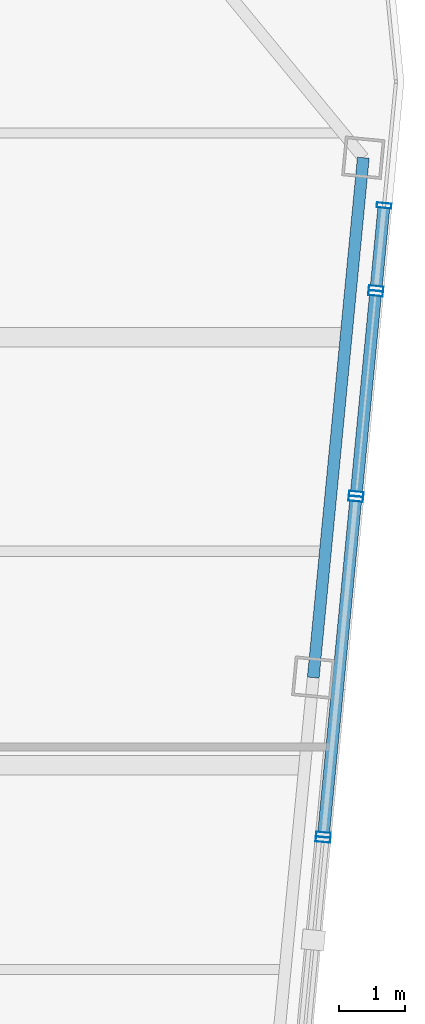
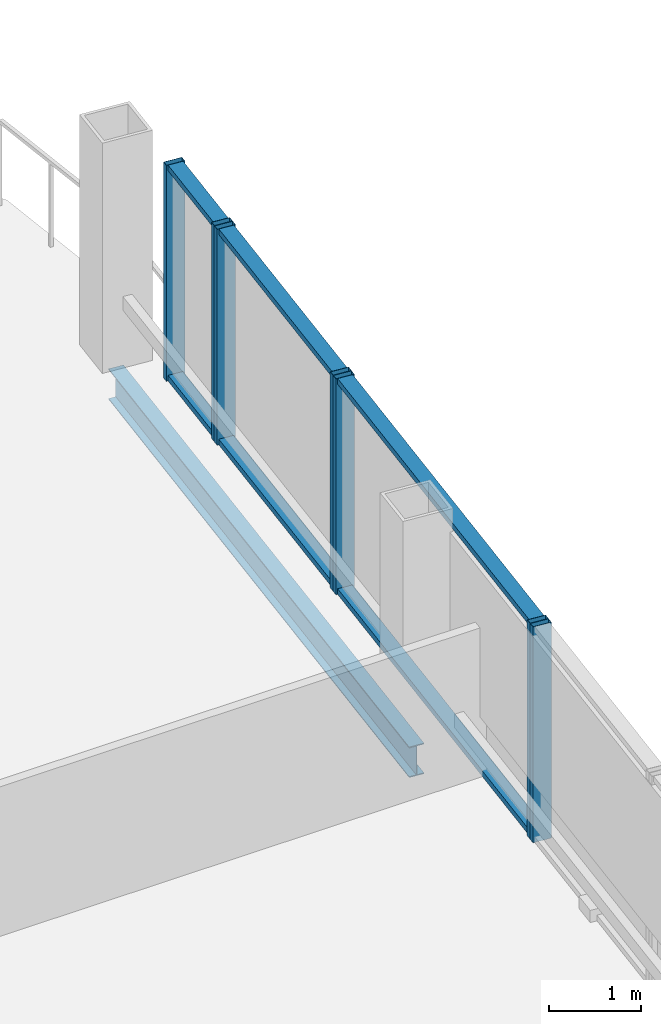
# One storey, part 15 of 26: 13 members, 1 beam, 4 elements without a shape of their own.
"""IFC4 building model written with IfcOpenShell, lengths in metres."""

from ifc_helpers import new_model, si_unit, direction, frame, origin, origin_2d, place, context, subcontext, project, spatial, hollow_rectangle, i_section, extrude, material, layer, layer_set, material_profile, profile_set, type_object, element, aggregate, save


model = new_model("IFC4")

# Units and contexts
model_context = context("Model", 3, precision=1e-05, world=origin(), true_north=direction((0.0, 1.0)))
body_context = subcontext(model_context, "Body", "Model", "MODEL_VIEW")
ifc_project = project(units=[si_unit("LENGTHUNIT", "METRE"), si_unit("AREAUNIT", "SQUARE_METRE"), si_unit("VOLUMEUNIT", "CUBIC_METRE"), si_unit("PLANEANGLEUNIT", "RADIAN"), si_unit("MASSUNIT", "GRAM", prefix="KILO")], contexts=[model_context])

# Site, building, storey
site_placement = place(None, origin())
site = spatial("IfcSite", under=ifc_project, at=site_placement, CompositionType="ELEMENT")
building_placement = place(site_placement, origin())
building = spatial("IfcBuilding", under=site, at=building_placement, Name="Qhalaya Broadcast Tower", CompositionType="ELEMENT")
storey_placement = place(building_placement, frame((0.0, 0.0, 248.949951171875)))
storey = spatial("IfcBuildingStorey", under=building, at=storey_placement, Name="L73", CompositionType="ELEMENT", Elevation=248.949951171875)

# Curtain wall, member
ifc_material_1 = material(Name="Solar-Control Low-E Triple Glazing", Category="glass")
ifc_layer_1 = layer(ifc_material_1, 0.219970703125, Name="Solar-Control Low-E Triple Glazing")
ifc_layer_set_1 = layer_set([ifc_layer_1], Name="Solar-Control Low-E Triple Glazing")
curtain_wall_type_1 = type_object("IfcCurtainWallType", Name="High-Altitude Upper-Shaft Triple Low-E Curtain Wall CW-04", PredefinedType="NOTDEFINED", material=ifc_layer_set_1)
curtain_wall_1_placement = place(storey_placement, origin())
curtain_wall_1 = element("IfcCurtainWall", 1, at=curtain_wall_1_placement, inside=storey, type_object=curtain_wall_type_1, Name="L73 Unitised Curtain Wall L73-CW-E4", PredefinedType="NOTDEFINED")
ifc_material_2 = material(Name="Anodised Aluminium 6063-T6", Category="aluminium")
ifc_material_profile_1 = material_profile(ifc_material_2, hollow_rectangle(XDim=0.074951171875, YDim=0.219970703125, WallThickness=0.00390625, at=origin_2d()), Name="ALU-MUL 75x220x4")
ifc_profile_set_1 = profile_set([ifc_material_profile_1], Name="Anodised Aluminium 6063-T6")
member_type_1 = type_object("IfcMemberType", Name="Unitised Curtain-Wall Mullion M01", PredefinedType="MULLION", material=ifc_profile_set_1)
member_1_placement = place(storey_placement, frame((21.483154296875, -3.7431640625, 0.0), z_axis=(0.0, 0.0, 1.0), x_axis=(0.095819626155, 0.995398713704, 0.0)))
member_1 = element("IfcMember", 2, at=member_1_placement, type_object=member_type_1, Name="CW-04 mullion 2", PredefinedType="MULLION", context=body_context, shape_type="SweptSolid", body=[
    extrude(hollow_rectangle(XDim=0.074951171875, YDim=0.219970703125, WallThickness=0.00390625, at=origin_2d()), origin(), (0.0, 0.0, 1.0), 2.860107421875),
])
aggregate(curtain_wall_1, [member_1])

# Curtain wall, members
ifc_material_3 = material(Name="Fired Architectural Terracotta", Category="masonry")
ifc_layer_2 = layer(ifc_material_3, 0.219970703125, Name="Fired Architectural Terracotta")
ifc_layer_set_2 = layer_set([ifc_layer_2], Name="Fired Architectural Terracotta")
curtain_wall_type_2 = type_object("IfcCurtainWallType", Name="Block-Cap Unitised Terracotta Spandrel Wall CW-07", PredefinedType="NOTDEFINED", material=ifc_layer_set_2)
curtain_wall_2_placement = place(storey_placement, origin())
curtain_wall_2 = element("IfcCurtainWall", 3, at=curtain_wall_2_placement, inside=storey, type_object=curtain_wall_type_2, Name="L73 Unitised Curtain Wall L73-CW-E5", PredefinedType="NOTDEFINED")
member_2_placement = place(storey_placement, frame((21.490234375, -3.66845703125, 0.0), z_axis=(0.0, 0.0, 1.0), x_axis=(0.095849485357, 0.995395838929, 0.0)))
member_2 = element("IfcMember", 4, at=member_2_placement, type_object=member_type_1, Name="CW-07 mullion 1", PredefinedType="MULLION", context=body_context, shape_type="SweptSolid", body=[
    extrude(hollow_rectangle(XDim=0.074951171875, YDim=0.219970703125, WallThickness=0.00390625, at=origin_2d()), origin(), (0.0, 0.0, 1.0), 2.860107421875),
])
member_3_placement = place(storey_placement, frame((21.977294921875, 1.39013671875, 0.0), z_axis=(0.0, 0.0, 1.0), x_axis=(0.095849485357, 0.995395838929, 0.0)))
member_3 = element("IfcMember", 5, at=member_3_placement, type_object=member_type_1, Name="CW-07 mullion 2", PredefinedType="MULLION", context=body_context, shape_type="SweptSolid", body=[
    extrude(hollow_rectangle(XDim=0.074951171875, YDim=0.219970703125, WallThickness=0.00390625, at=origin_2d()), origin(), (0.0, 0.0, 1.0), 2.860107421875),
])

curtain_wall_3_placement = place(storey_placement, origin())
curtain_wall_3 = element("IfcCurtainWall", 6, at=curtain_wall_3_placement, inside=storey, type_object=curtain_wall_type_1, Name="L73 Unitised Curtain Wall L73-CW-E6", PredefinedType="NOTDEFINED")
member_4_placement = place(storey_placement, frame((21.984619140625, 1.46484375, 0.0), z_axis=(0.0, 0.0, 1.0), x_axis=(0.095854552953, 0.995395350943, 0.0)))
member_4 = element("IfcMember", 7, at=member_4_placement, type_object=member_type_1, Name="CW-04 mullion 1", PredefinedType="MULLION", context=body_context, shape_type="SweptSolid", body=[
    extrude(hollow_rectangle(XDim=0.074951171875, YDim=0.219970703125, WallThickness=0.00390625, at=origin_2d()), origin(), (0.0, 0.0, 1.0), 2.860107421875),
])
member_5_placement = place(storey_placement, frame((22.275390625, 4.485595703125, 0.0), z_axis=(0.0, 0.0, 1.0), x_axis=(0.095854552953, 0.995395350943, 0.0)))
member_5 = element("IfcMember", 8, at=member_5_placement, type_object=member_type_1, Name="CW-04 mullion 2", PredefinedType="MULLION", context=body_context, shape_type="SweptSolid", body=[
    extrude(hollow_rectangle(XDim=0.074951171875, YDim=0.219970703125, WallThickness=0.00390625, at=origin_2d()), origin(), (0.0, 0.0, 1.0), 2.860107421875),
])

curtain_wall_4_placement = place(storey_placement, origin())
curtain_wall_4 = element("IfcCurtainWall", 9, at=curtain_wall_4_placement, inside=storey, type_object=curtain_wall_type_2, Name="L73 Unitised Curtain Wall L73-CW-E7", PredefinedType="NOTDEFINED")
member_6_placement = place(storey_placement, frame((22.28271484375, 4.560302734375, 0.0), z_axis=(0.0, 0.0, 1.0), x_axis=(0.095857322215, 0.995395084264, 0.0)))
member_6 = element("IfcMember", 10, at=member_6_placement, type_object=member_type_1, Name="CW-07 mullion 1", PredefinedType="MULLION", context=body_context, shape_type="SweptSolid", body=[
    extrude(hollow_rectangle(XDim=0.074951171875, YDim=0.219970703125, WallThickness=0.00390625, at=origin_2d()), origin(), (0.0, 0.0, 1.0), 2.860107421875),
])
member_7_placement = place(storey_placement, frame((22.40283203125, 5.8076171875, 0.0), z_axis=(0.0, 0.0, 1.0), x_axis=(0.095857322215, 0.995395084264, 0.0)))
member_7 = element("IfcMember", 11, at=member_7_placement, type_object=member_type_1, Name="CW-07 mullion 2", PredefinedType="MULLION", context=body_context, shape_type="SweptSolid", body=[
    extrude(hollow_rectangle(XDim=0.074951171875, YDim=0.219970703125, WallThickness=0.00390625, at=origin_2d()), origin(), (0.0, 0.0, 1.0), 2.860107421875),
])

# Member
ifc_material_profile_2 = material_profile(ifc_material_2, hollow_rectangle(XDim=0.074951171875, YDim=0.179931640625, WallThickness=0.00390625, at=origin_2d()), Name="ALU-TRN 75x180x4")
ifc_profile_set_2 = profile_set([ifc_material_profile_2], Name="Anodised Aluminium 6063-T6")
member_type_2 = type_object("IfcMemberType", Name="Unitised Curtain-Wall Transom T01", PredefinedType="USERDEFINED", material=ifc_profile_set_2)
member_8_placement = place(storey_placement, frame((21.493896484375, -3.63134765625, 0.03759765625), z_axis=(0.095858268746, 0.995394993112, 0.0), x_axis=(0.0, 0.0, 1.0)))
member_8 = element("IfcMember", 12, at=member_8_placement, type_object=member_type_2, Name="CW-07 transom 1.1", ObjectType="TRANSOM", PredefinedType="USERDEFINED", context=body_context, shape_type="SweptSolid", body=[
    extrude(hollow_rectangle(XDim=0.074951171875, YDim=0.179931640625, WallThickness=0.00390625, at=origin_2d()), origin(), (0.0, 0.0, 1.0), 5.007080078125),
])

member_9_placement = place(storey_placement, frame((21.493896484375, -3.63134765625, 2.822509765625), z_axis=(0.095858268746, 0.995394993112, 0.0), x_axis=(0.0, 0.0, 1.0)))
member_9 = element("IfcMember", 13, at=member_9_placement, type_object=member_type_2, Name="CW-07 transom 1.2", ObjectType="TRANSOM", PredefinedType="USERDEFINED", context=body_context, shape_type="SweptSolid", body=[
    extrude(hollow_rectangle(XDim=0.074951171875, YDim=0.179931640625, WallThickness=0.00390625, at=origin_2d()), origin(), (0.0, 0.0, 1.0), 5.007080078125),
])

aggregate(curtain_wall_2, [member_2, member_3, member_8, member_9])

member_10_placement = place(storey_placement, frame((21.98828125, 1.501953125, 0.03759765625), z_axis=(0.095844425832, 0.995396326112, 0.0), x_axis=(0.0, 0.0, 1.0)))
member_10 = element("IfcMember", 14, at=member_10_placement, type_object=member_type_2, Name="CW-04 transom 1.1", ObjectType="TRANSOM", PredefinedType="USERDEFINED", context=body_context, shape_type="SweptSolid", body=[
    extrude(hollow_rectangle(XDim=0.074951171875, YDim=0.179931640625, WallThickness=0.00390625, at=origin_2d()), origin(), (0.0, 0.0, 1.0), 2.9599609375),
])

member_11_placement = place(storey_placement, frame((21.98828125, 1.501953125, 2.822509765625), z_axis=(0.095844425832, 0.995396326112, 0.0), x_axis=(0.0, 0.0, 1.0)))
member_11 = element("IfcMember", 15, at=member_11_placement, type_object=member_type_2, Name="CW-04 transom 1.2", ObjectType="TRANSOM", PredefinedType="USERDEFINED", context=body_context, shape_type="SweptSolid", body=[
    extrude(hollow_rectangle(XDim=0.074951171875, YDim=0.179931640625, WallThickness=0.00390625, at=origin_2d()), origin(), (0.0, 0.0, 1.0), 2.9599609375),
])

aggregate(curtain_wall_3, [member_4, member_5, member_10, member_11])

member_12_placement = place(storey_placement, frame((22.286376953125, 4.59765625, 0.03759765625), z_axis=(0.095747947597, 0.995405611061, 0.0), x_axis=(0.0, 0.0, 1.0)))
member_12 = element("IfcMember", 16, at=member_12_placement, type_object=member_type_2, Name="CW-07 transom 1.1", ObjectType="TRANSOM", PredefinedType="USERDEFINED", context=body_context, shape_type="SweptSolid", body=[
    extrude(hollow_rectangle(XDim=0.074951171875, YDim=0.179931640625, WallThickness=0.00390625, at=origin_2d()), origin(), (0.0, 0.0, 1.0), 1.177978515625),
])

member_13_placement = place(storey_placement, frame((22.286376953125, 4.59765625, 2.822509765625), z_axis=(0.095747947597, 0.995405611061, 0.0), x_axis=(0.0, 0.0, 1.0)))
member_13 = element("IfcMember", 17, at=member_13_placement, type_object=member_type_2, Name="CW-07 transom 1.2", ObjectType="TRANSOM", PredefinedType="USERDEFINED", context=body_context, shape_type="SweptSolid", body=[
    extrude(hollow_rectangle(XDim=0.074951171875, YDim=0.179931640625, WallThickness=0.00390625, at=origin_2d()), origin(), (0.0, 0.0, 1.0), 1.177978515625),
])

aggregate(curtain_wall_4, [member_6, member_7, member_12, member_13])

# Beam
ifc_material_4 = material(Name="Structural Steel ASTM A992 Grade 50", Category="steel")
ifc_material_profile_3 = material_profile(ifc_material_4, i_section(OverallWidth=0.177978515625, OverallDepth=0.406005859375, WebThickness=0.0078125, FlangeThickness=0.0126953125, at=origin_2d()), Name="W16X40")
ifc_profile_set_3 = profile_set([ifc_material_profile_3], Name="Structural Steel ASTM A992 Grade 50")
beam_type = type_object("IfcBeamType", Name="Upper Perimeter Spandrel Beam SP2", PredefinedType="SPANDREL", material=ifc_profile_set_3)
beam_placement = place(storey_placement, frame((21.33642578125, -1.302001953125, -0.39306640625), z_axis=(0.095837184179, 0.995397023367, 0.0), x_axis=(-0.995397023367, 0.095837184179, 0.0)))
element("IfcBeam", 18, at=beam_placement, inside=storey, type_object=beam_type, Name="L73 SP2 L73-SPR-07", PredefinedType="SPANDREL", context=body_context, shape_type="SweptSolid", body=[
    extrude(i_section(OverallWidth=0.177978515625, OverallDepth=0.406005859375, WebThickness=0.0078125, FlangeThickness=0.0126953125, at=origin_2d()), origin(), (0.0, 0.0, 1.0), 7.866455078125),
])

save(model, "model.ifc")
